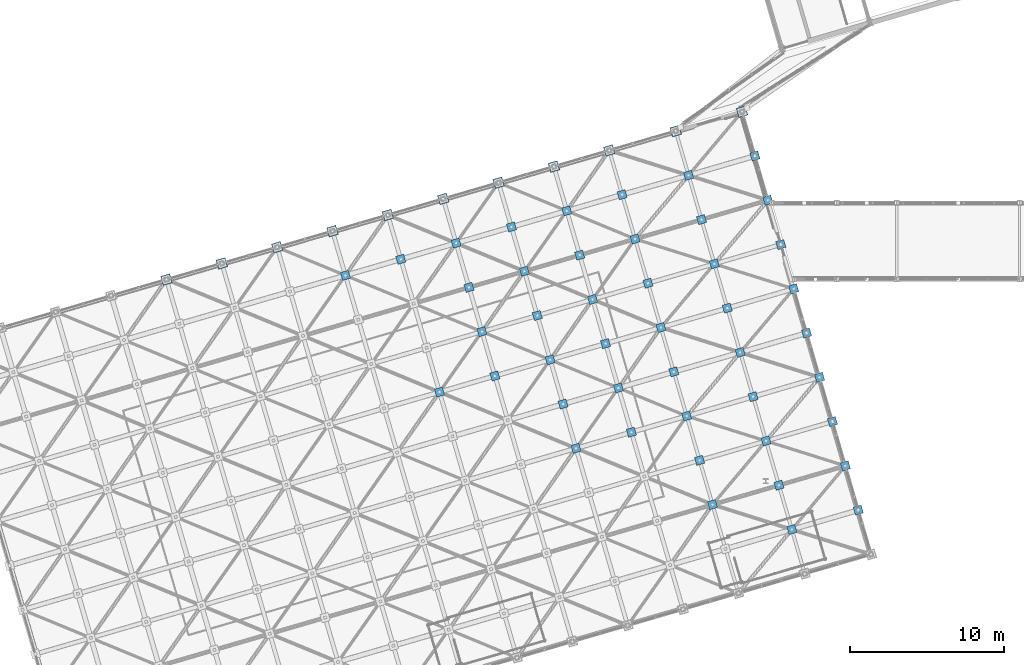
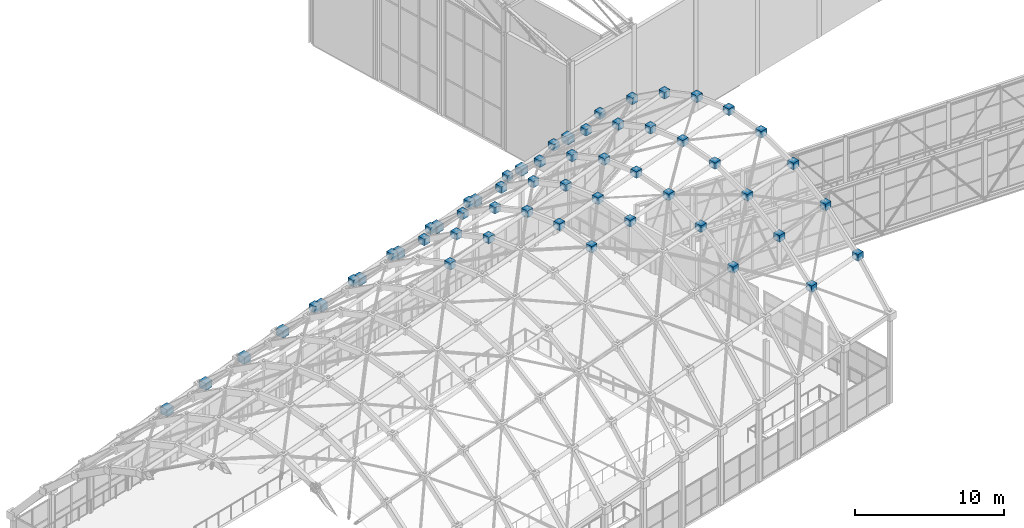
# One storey, part 231 of 248: 56 discrete accessories.
"""IFC4 building model written with IfcOpenShell, lengths in metres."""

import ifcopenshell
import ifcopenshell.guid

model = None  # the IFC model being written
_history = None  # IfcOwnerHistory: only IFC2X3 demands one
_inside = {}  # id of a spatial element -> (the spatial element, [elements in it])
_under = {}  # id of a project, library or spatial element -> (it, [spatial elements below it])
_declared = {}  # id of a project -> (the project, [libraries it declares])
_typed = {}  # id of a type object -> (the type object, [elements of that type])
_made_of = {}  # id of a material, layer set ... -> (it, [elements and type objects made of it])


def new_model(schema):
    """Start an empty IFC model of exactly this schema.

    Asked for "IFC4X3", IfcOpenShell would pick the latest addendum, in which some entities
    have other attributes; the version numbers below select the first issue.
    IFC2X3 requires an IfcOwnerHistory on every rooted entity: one is made here for all.
    """
    global model, _history
    if schema == "IFC4X3":
        model = ifcopenshell.file(schema_version=(4, 3, 0, 0))
    else:
        model = ifcopenshell.file(schema=schema)
    _inside.clear()
    _under.clear()
    _declared.clear()
    _typed.clear()
    _made_of.clear()
    _history = None
    if model.schema == "IFC2X3":
        org = make("IfcOrganization", Name="unknown")
        user = make(
            "IfcPersonAndOrganization",
            ThePerson=make("IfcPerson", FamilyName="unknown"),
            TheOrganization=org,
        )
        app = make(
            "IfcApplication",
            ApplicationDeveloper=org,
            Version="unknown",
            ApplicationFullName="unknown",
            ApplicationIdentifier="unknown",
        )
        _history = make(
            "IfcOwnerHistory",
            OwningUser=user,
            OwningApplication=app,
            ChangeAction="ADDED",
            CreationDate=0,
        )
    return model


def make(cls, **values):
    """One entity of the class cls with the attributes given. An attribute that is None is left unset."""
    return model.create_entity(
        cls, **{name: value for name, value in values.items() if value is not None}
    )


def rooted(cls, **values):
    """An entity with a GlobalId (a new one), such as an element, a storey or a relation."""
    return make(cls, GlobalId=ifcopenshell.guid.new(), OwnerHistory=_history, **values)


def si_unit(unit_type, name, prefix=None):
    """IfcSIUnit, for example si_unit("LENGTHUNIT", "METRE", prefix="MILLI")."""
    return make("IfcSIUnit", UnitType=unit_type, Prefix=prefix, Name=name)


def assignment(units):
    """IfcUnitAssignment: the units of a project."""
    return None if units is None else make("IfcUnitAssignment", Units=units)


def point(xyz):
    """IfcCartesianPoint."""
    return None if xyz is None else make("IfcCartesianPoint", Coordinates=xyz)


def direction(xyz):
    """IfcDirection."""
    return None if xyz is None else make("IfcDirection", DirectionRatios=xyz)


def frame(location, z_axis=None, x_axis=None):
    """IfcAxis2Placement3D, a coordinate frame: its origin and axes. An axis left out is left unset."""
    return make(
        "IfcAxis2Placement3D",
        Location=point(location),
        Axis=direction(z_axis),
        RefDirection=direction(x_axis),
    )


def frame_2d(location, x_axis=None):
    """IfcAxis2Placement2D, a coordinate frame in the plane: its origin and x axis."""
    return make(
        "IfcAxis2Placement2D", Location=point(location), RefDirection=direction(x_axis)
    )


def origin():
    """The frame at (0, 0, 0) with its axes left unset."""
    return frame((0.0, 0.0, 0.0))


def origin_2d():
    """The frame at (0, 0) in the plane with its x axis left unset."""
    return frame_2d((0.0, 0.0))


def place(relative_to, where):
    """IfcLocalPlacement: puts the frame where relative to a parent placement (None: the world)."""
    return make(
        "IfcLocalPlacement", PlacementRelTo=relative_to, RelativePlacement=where
    )


def context(
    kind, dimensions, precision=None, world=None, true_north=None, identifier=None
):
    """IfcGeometricRepresentationContext, for example the 3D "Model" context."""
    return make(
        "IfcGeometricRepresentationContext",
        ContextIdentifier=identifier,
        ContextType=kind,
        CoordinateSpaceDimension=dimensions,
        Precision=precision,
        WorldCoordinateSystem=world,
        TrueNorth=true_north,
    )


def subcontext(parent, identifier, kind, view, scale=None):
    """IfcGeometricRepresentationSubContext, for example "Body" below "Model"."""
    return make(
        "IfcGeometricRepresentationSubContext",
        ContextIdentifier=identifier,
        ContextType=kind,
        ParentContext=parent,
        TargetScale=scale,
        TargetView=view,
    )


def project(units=None, contexts=None):
    """IfcProject with its units and contexts."""
    return rooted(
        "IfcProject",
        Name="project",
        RepresentationContexts=contexts,
        UnitsInContext=assignment(units),
    )


def spatial(cls, under=None, at=None, **own):
    """A site, building, storey or space (cls), placed at a placement, below another one or the project."""
    s = rooted(cls, ObjectPlacement=at, **own)
    if under is not None:
        _under.setdefault(under.id(), (under, []))[1].append(s)
    return s


def profile(cls, at=None, kind="AREA", **sizes):
    """A parametric profile (cls). Its sizes go by their IFC names, for example OverallWidth=200.0."""
    return make(cls, ProfileType=kind, Position=at, **sizes)


def rectangle(**sizes):
    """IfcRectangleProfileDef."""
    return profile("IfcRectangleProfileDef", **sizes)


def extrude(swept, where, along, depth):
    """IfcExtrudedAreaSolid: the profile swept, set in the frame where, extruded along a direction by depth."""
    return make(
        "IfcExtrudedAreaSolid",
        SweptArea=swept,
        Position=where,
        ExtrudedDirection=direction(along),
        Depth=depth,
    )


def shape(context_of_items, identifier, shape_type, items):
    """IfcShapeRepresentation: the items that make up one representation, for example the "Body"."""
    return make(
        "IfcShapeRepresentation",
        ContextOfItems=context_of_items,
        RepresentationIdentifier=identifier,
        RepresentationType=shape_type,
        Items=items,
    )


def material(Name=None, Category=None):
    """IfcMaterial."""
    return make("IfcMaterial", Name=Name, Category=Category)


def made_of(thing, what):
    """Note that an element or type object is made of a material, layer set ...; save() writes the relation."""
    if what is not None:
        _made_of.setdefault(what.id(), (what, []))[1].append(thing)
    return thing


def type_object(cls, material=None, **own):
    """A type object (cls), such as IfcWallType, which elements share."""
    return made_of(rooted(cls, **own), material)


def element(
    cls,
    number,
    at=None,
    inside=None,
    cuts=None,
    type_object=None,
    material=None,
    context=None,
    identifier="Body",
    shape_type=None,
    held_by="IfcProductDefinitionShape",
    body=None,
    shapes=None,
    **own,
):
    """One element of the class cls, such as IfcWall. Its Tag is "e" and its number.

    at: its placement. inside: the storey or other place that contains it. cuts: it is an
    opening in that element (IfcRelVoidsElement). A single representation is given by context,
    identifier, shape_type and body (its items); several are given by shapes. held_by: the class
    of the entity that holds the representations. save() writes the other relations.
    """
    e = rooted(cls, Tag="e%d" % number, ObjectPlacement=at, **own)
    if body is not None:
        shapes = [shape(context, identifier, shape_type, body)]
    if shapes is not None:
        e.Representation = make(held_by, Representations=shapes)
    if inside is not None:
        _inside.setdefault(inside.id(), (inside, []))[1].append(e)
    if cuts is not None:
        rooted(
            "IfcRelVoidsElement", RelatingBuildingElement=cuts, RelatedOpeningElement=e
        )
    if type_object is not None:
        _typed.setdefault(type_object.id(), (type_object, []))[1].append(e)
    return made_of(e, material)


def aggregate(whole, parts):
    """IfcRelAggregates: a whole, such as a stair, and the parts it consists of."""
    return rooted("IfcRelAggregates", RelatingObject=whole, RelatedObjects=parts)


def save(model, path):
    """Write the relations noted so far, then the file.

    IfcRelAggregates (storeys below a building ...), IfcRelContainedInSpatialStructure (elements
    in a storey), IfcRelDefinesByType, IfcRelAssociatesMaterial and IfcRelDeclares: one each for
    every whole, place, type object, material and project.
    """
    for whole, parts in _under.values():
        aggregate(whole, parts)
    for where, things in _inside.values():
        rooted(
            "IfcRelContainedInSpatialStructure",
            RelatedElements=things,
            RelatingStructure=where,
        )
    for kind, things in _typed.values():
        rooted("IfcRelDefinesByType", RelatedObjects=things, RelatingType=kind)
    for what, things in _made_of.values():
        rooted("IfcRelAssociatesMaterial", RelatedObjects=things, RelatingMaterial=what)
    for by, libraries in _declared.values():
        rooted("IfcRelDeclares", RelatingContext=by, RelatedDefinitions=libraries)
    model.write(path)


model = new_model("IFC4")

# Units and contexts
model_context = context("Model", 3, precision=1e-05, world=origin(), true_north=direction((0.0, 1.0)))
body_context = subcontext(model_context, "Body", "Model", "MODEL_VIEW")
ifc_project = project(units=[si_unit("LENGTHUNIT", "METRE"), si_unit("AREAUNIT", "SQUARE_METRE"), si_unit("VOLUMEUNIT", "CUBIC_METRE"), si_unit("PLANEANGLEUNIT", "RADIAN"), si_unit("MASSUNIT", "GRAM", prefix="KILO")], contexts=[model_context])

# Site, building, storey
site_placement = place(None, origin())
site = spatial("IfcSite", under=ifc_project, at=site_placement, CompositionType="ELEMENT")
building_placement = place(site_placement, origin())
building = spatial("IfcBuilding", under=site, at=building_placement, Name="Canggui Botanical Conservatory", CompositionType="ELEMENT")
storey_placement = place(building_placement, frame((0.0, 0.0, 5.39990234375)))
storey = spatial("IfcBuildingStorey", under=building, at=storey_placement, Name="L02", CompositionType="ELEMENT", Elevation=5.39990234375)

# Discrete accessories
ifc_material = material(Name="Steel Q355C", Category="steel")
discrete_accessory_type_1 = type_object("IfcDiscreteAccessoryType", Name="ACC-CSN01", PredefinedType="USERDEFINED", material=ifc_material)
for number, where, z_axis, x_axis, name in (
    (1, (26.0, 75.0, 4.31005859375), (0.0, 0.0, 1.0), (0.960000000041, 0.279999999861, 0.0), "Gridshell Cast-Steel Support Node GS-N055"),
    (2, (29.60009765625, 76.050048828125, 4.56005859375), (0.0, 0.0, 1.0), (0.960000000041, 0.279999999861, 0.0), "Gridshell Cast-Steel Support Node GS-N066"),
    (3, (33.199951171875, 77.10009765625, 4.81005859375), (0.0, 0.0, 1.0), (0.960000000041, 0.279999999861, 0.0), "Gridshell Cast-Steel Support Node GS-N077"),
    (4, (36.800048828125, 78.14990234375, 5.06005859375), (0.0, 0.0, 1.0), (0.960000000041, 0.279999999861, 0.0), "Gridshell Cast-Steel Support Node GS-N088"),
    (5, (40.39990234375, 79.199951171875, 5.31005859375), (0.0, 0.0, 1.0), (0.960000000041, 0.279999999861, 0.0), "Gridshell Cast-Steel Support Node GS-N099"),
    (6, (44.0, 80.25, 5.56005859375), (0.0, 0.0, 1.0), (0.960000000041, 0.279999999861, 0.0), "Gridshell Cast-Steel Support Node GS-N110"),
    (7, (47.60009765625, 81.300048828125, 5.81005859375), (0.0, 0.0, 1.0), (0.960000000041, 0.279999999861, 0.0), "Gridshell Cast-Steel Support Node GS-N121"),
    (8, (51.199951171875, 82.35009765625, 6.06005859375), (0.0, 0.0, 1.0), (0.960000000041, 0.279999999861, 0.0), "Gridshell Cast-Steel Support Node GS-N132"),
    (9, (54.800048828125, 83.39990234375, 6.31005859375), (0.0, 0.0, 1.0), (0.960000000041, 0.279999999861, 0.0), "Gridshell Cast-Steel Support Node GS-N143"),
    (10, (59.1201171875, 84.659912109375, 6.610107421875), (0.0, 0.0, 1.0), (0.960000000041, 0.279999999861, 0.0), "Gridshell Cast-Steel Support Node GS-N154"),
    (11, (63.43994140625, 85.919921875, 6.91015625), (0.0, 0.0, 1.0), (0.960000000041, 0.279999999861, 0.0), "Gridshell Cast-Steel Support Node GS-N165"),
):
    element("IfcDiscreteAccessory", number, at=place(storey_placement, frame(where, z_axis=z_axis, x_axis=x_axis)), inside=storey, type_object=discrete_accessory_type_1, Name=name, ObjectType="SPHERICAL NODE", PredefinedType="USERDEFINED", context=body_context, shape_type="SweptSolid", body=[
        extrude(rectangle(XDim=0.6201171875, YDim=0.6201171875, at=origin_2d()), origin(), (0.0, 0.0, 1.0), 0.580078125),
    ])
discrete_accessory_type_2 = type_object("IfcDiscreteAccessoryType", Name="ACC-WSN01", PredefinedType="USERDEFINED", material=ifc_material)
for number, where, z_axis, x_axis, name in (
    (12, (37.639892578125, 75.27001953125, 8.5361328125), (0.0, 0.0, 1.0), (0.960000000041, 0.279999999861, 0.0), "Gridshell Welded Hollow Spherical Node GS-N087"),
    (13, (43.760009765625, 67.679931640625, 14.546142578125), (0.0, 0.0, 1.0), (0.960000000041, 0.279999999861, 0.0), "Gridshell Welded Hollow Spherical Node GS-N095"),
    (14, (41.239990234375, 76.320068359375, 8.7861328125), (0.0, 0.0, 1.0), (0.960000000041, 0.279999999861, 0.0), "Gridshell Welded Hollow Spherical Node GS-N098"),
    (15, (47.360107421875, 68.72998046875, 14.796142578125), (0.0, 0.0, 1.0), (0.960000000041, 0.279999999861, 0.0), "Gridshell Welded Hollow Spherical Node GS-N106"),
    (16, (46.52001953125, 71.610107421875, 13.64404296875), (0.0, 0.0, 1.0), (0.960000000041, 0.279999999861, 0.0), "Gridshell Welded Hollow Spherical Node GS-N107"),
    (17, (45.679931640625, 74.489990234375, 11.72412109375), (0.0, 0.0, 1.0), (0.960000000041, 0.279999999861, 0.0), "Gridshell Welded Hollow Spherical Node GS-N108"),
    (18, (44.840087890625, 77.3701171875, 9.0361328125), (0.0, 0.0, 1.0), (0.960000000041, 0.279999999861, 0.0), "Gridshell Welded Hollow Spherical Node GS-N109"),
    (19, (52.639892578125, 64.02001953125, 15.046142578125), (0.0, 0.0, 1.0), (0.960000000041, 0.279999999861, 0.0), "Gridshell Welded Hollow Spherical Node GS-N115"),
    (20, (51.800048828125, 66.89990234375, 15.43017578125), (0.0, 0.0, 1.0), (0.960000000041, 0.279999999861, 0.0), "Gridshell Welded Hollow Spherical Node GS-N116"),
    (21, (50.9599609375, 69.780029296875, 15.046142578125), (0.0, 0.0, 1.0), (0.960000000041, 0.279999999861, 0.0), "Gridshell Welded Hollow Spherical Node GS-N117"),
    (22, (50.1201171875, 72.659912109375, 13.89404296875), (0.0, 0.0, 1.0), (0.960000000041, 0.279999999861, 0.0), "Gridshell Welded Hollow Spherical Node GS-N118"),
    (23, (49.280029296875, 75.5400390625, 11.97412109375), (0.0, 0.0, 1.0), (0.960000000041, 0.279999999861, 0.0), "Gridshell Welded Hollow Spherical Node GS-N119"),
    (24, (48.43994140625, 78.419921875, 9.2861328125), (0.0, 0.0, 1.0), (0.960000000041, 0.279999999861, 0.0), "Gridshell Welded Hollow Spherical Node GS-N120"),
    (25, (56.239990234375, 65.070068359375, 15.296142578125), (0.0, 0.0, 1.0), (0.960000000041, 0.279999999861, 0.0), "Gridshell Welded Hollow Spherical Node GS-N126"),
    (26, (55.39990234375, 67.949951171875, 15.68017578125), (0.0, 0.0, 1.0), (0.960000000041, 0.279999999861, 0.0), "Gridshell Welded Hollow Spherical Node GS-N127"),
    (27, (54.56005859375, 70.830078125, 15.296142578125), (0.0, 0.0, 1.0), (0.960000000041, 0.279999999861, 0.0), "Gridshell Welded Hollow Spherical Node GS-N128"),
    (28, (53.719970703125, 73.7099609375, 14.14404296875), (0.0, 0.0, 1.0), (0.960000000041, 0.279999999861, 0.0), "Gridshell Welded Hollow Spherical Node GS-N129"),
    (29, (52.8798828125, 76.590087890625, 12.22412109375), (0.0, 0.0, 1.0), (0.960000000041, 0.279999999861, 0.0), "Gridshell Welded Hollow Spherical Node GS-N130"),
    (30, (52.0400390625, 79.469970703125, 9.5361328125), (0.0, 0.0, 1.0), (0.960000000041, 0.279999999861, 0.0), "Gridshell Welded Hollow Spherical Node GS-N131"),
    (31, (61.52001953125, 60.360107421875, 12.47412109375), (0.0, 0.0, 1.0), (0.960000000041, 0.279999999861, 0.0), "Gridshell Welded Hollow Spherical Node GS-N135"),
    (32, (60.679931640625, 63.239990234375, 14.39404296875), (0.0, 0.0, 1.0), (0.960000000041, 0.279999999861, 0.0), "Gridshell Welded Hollow Spherical Node GS-N136"),
    (33, (59.840087890625, 66.1201171875, 15.546142578125), (0.0, 0.0, 1.0), (0.960000000041, 0.279999999861, 0.0), "Gridshell Welded Hollow Spherical Node GS-N137"),
    (34, (59.0, 69.0, 15.93017578125), (0.0, 0.0, 1.0), (0.960000000041, 0.279999999861, 0.0), "Gridshell Welded Hollow Spherical Node GS-N138"),
    (35, (58.159912109375, 71.8798828125, 15.546142578125), (0.0, 0.0, 1.0), (0.960000000041, 0.279999999861, 0.0), "Gridshell Welded Hollow Spherical Node GS-N139"),
    (36, (57.320068359375, 74.760009765625, 14.39404296875), (0.0, 0.0, 1.0), (0.960000000041, 0.279999999861, 0.0), "Gridshell Welded Hollow Spherical Node GS-N140"),
    (37, (56.47998046875, 77.639892578125, 12.47412109375), (0.0, 0.0, 1.0), (0.960000000041, 0.279999999861, 0.0), "Gridshell Welded Hollow Spherical Node GS-N141"),
    (38, (55.639892578125, 80.52001953125, 9.7861328125), (0.0, 0.0, 1.0), (0.960000000041, 0.279999999861, 0.0), "Gridshell Welded Hollow Spherical Node GS-N142"),
    (39, (66.679931640625, 58.739990234375, 10.086181640625), (0.0, 0.0, 1.0), (0.960000000041, 0.279999999861, 0.0), "Gridshell Welded Hollow Spherical Node GS-N145"),
    (40, (65.840087890625, 61.6201171875, 12.774169921875), (0.0, 0.0, 1.0), (0.960000000041, 0.279999999861, 0.0), "Gridshell Welded Hollow Spherical Node GS-N146"),
    (41, (65.0, 64.5, 14.694091796875), (0.0, 0.0, 1.0), (0.960000000041, 0.279999999861, 0.0), "Gridshell Welded Hollow Spherical Node GS-N147"),
    (42, (64.159912109375, 67.3798828125, 15.84619140625), (0.0, 0.0, 1.0), (0.960000000041, 0.279999999861, 0.0), "Gridshell Welded Hollow Spherical Node GS-N148"),
    (43, (63.320068359375, 70.260009765625, 16.22998046875), (0.0, 0.0, 1.0), (0.960000000041, 0.279999999861, 0.0), "Gridshell Welded Hollow Spherical Node GS-N149"),
    (44, (62.47998046875, 73.139892578125, 15.84619140625), (0.0, 0.0, 1.0), (0.960000000041, 0.279999999861, 0.0), "Gridshell Welded Hollow Spherical Node GS-N150"),
    (45, (61.639892578125, 76.02001953125, 14.694091796875), (0.0, 0.0, 1.0), (0.960000000041, 0.279999999861, 0.0), "Gridshell Welded Hollow Spherical Node GS-N151"),
    (46, (60.800048828125, 78.89990234375, 12.774169921875), (0.0, 0.0, 1.0), (0.960000000041, 0.279999999861, 0.0), "Gridshell Welded Hollow Spherical Node GS-N152"),
    (47, (59.9599609375, 81.780029296875, 10.086181640625), (0.0, 0.0, 1.0), (0.960000000041, 0.279999999861, 0.0), "Gridshell Welded Hollow Spherical Node GS-N153"),
    (48, (71.0, 60.0, 10.385986328125), (0.0, 0.0, 1.0), (0.960000000041, 0.279999999861, 0.0), "Gridshell Welded Hollow Spherical Node GS-N156"),
    (49, (70.159912109375, 62.8798828125, 13.073974609375), (0.0, 0.0, 1.0), (0.960000000041, 0.279999999861, 0.0), "Gridshell Welded Hollow Spherical Node GS-N157"),
    (50, (69.320068359375, 65.760009765625, 14.994140625), (0.0, 0.0, 1.0), (0.960000000041, 0.279999999861, 0.0), "Gridshell Welded Hollow Spherical Node GS-N158"),
    (51, (68.47998046875, 68.639892578125, 16.14599609375), (0.0, 0.0, 1.0), (0.960000000041, 0.279999999861, 0.0), "Gridshell Welded Hollow Spherical Node GS-N159"),
    (52, (67.639892578125, 71.52001953125, 16.530029296875), (0.0, 0.0, 1.0), (0.960000000041, 0.279999999861, 0.0), "Gridshell Welded Hollow Spherical Node GS-N160"),
    (53, (66.800048828125, 74.39990234375, 16.14599609375), (0.0, 0.0, 1.0), (0.960000000041, 0.279999999861, 0.0), "Gridshell Welded Hollow Spherical Node GS-N161"),
    (54, (65.9599609375, 77.280029296875, 14.994140625), (0.0, 0.0, 1.0), (0.960000000041, 0.279999999861, 0.0), "Gridshell Welded Hollow Spherical Node GS-N162"),
    (55, (65.1201171875, 80.159912109375, 13.073974609375), (0.0, 0.0, 1.0), (0.960000000041, 0.279999999861, 0.0), "Gridshell Welded Hollow Spherical Node GS-N163"),
    (56, (64.280029296875, 83.0400390625, 10.385986328125), (0.0, 0.0, 1.0), (0.960000000041, 0.279999999861, 0.0), "Gridshell Welded Hollow Spherical Node GS-N164"),
):
    element("IfcDiscreteAccessory", number, at=place(storey_placement, frame(where, z_axis=z_axis, x_axis=x_axis)), inside=storey, type_object=discrete_accessory_type_2, Name=name, ObjectType="SPHERICAL NODE", PredefinedType="USERDEFINED", context=body_context, shape_type="SweptSolid", body=[
        extrude(rectangle(XDim=0.5400390625, YDim=0.5400390625, at=origin_2d()), origin(), (0.0, 0.0, 1.0), 0.5400390625),
    ])

save(model, "model.ifc")
